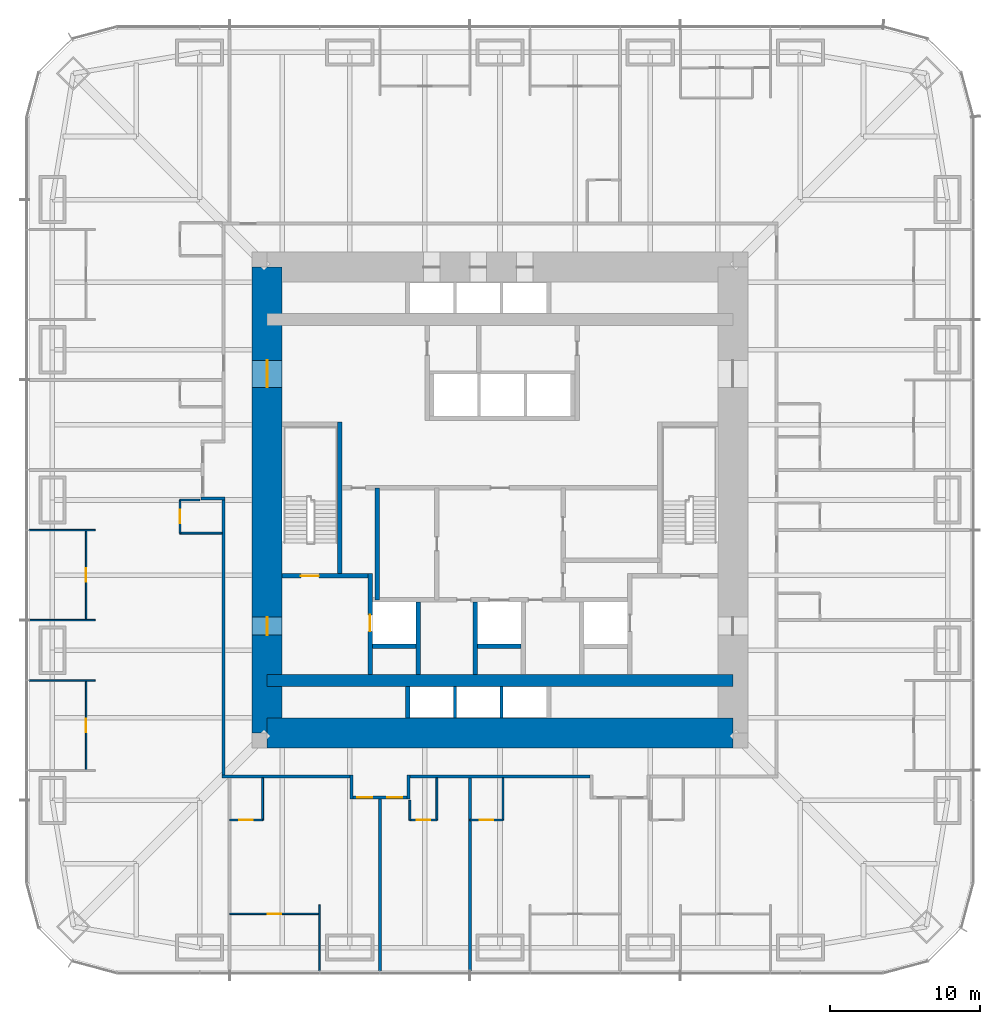
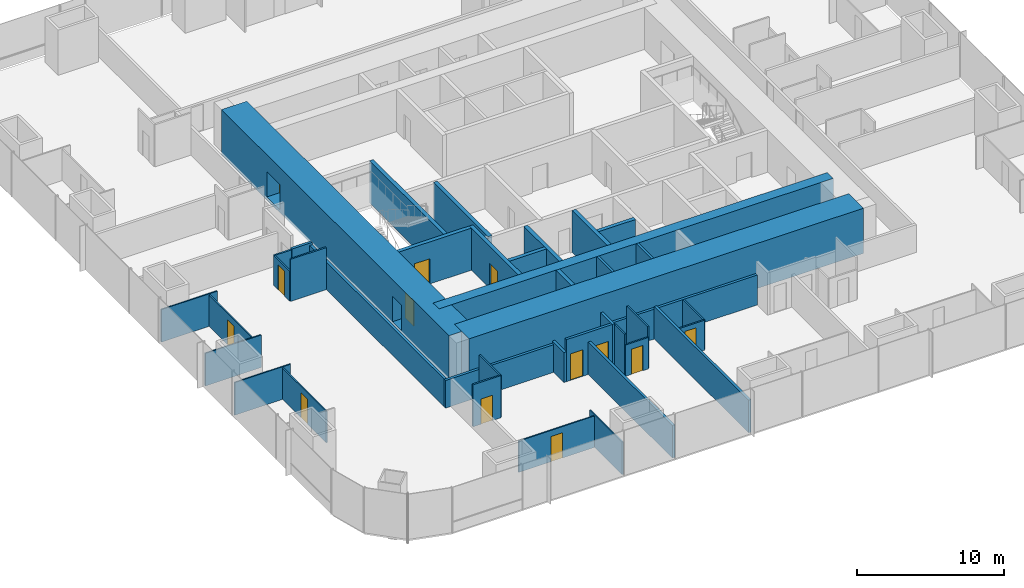
# One storey, part 12 of 16: 40 walls, 13 doors, 13 openings.
"""IFC4 building model written with IfcOpenShell, lengths in metres."""

from ifc_helpers import new_model, si_unit, direction, frame, frame_2d, origin, place, context, subcontext, project, spatial, rectangle, extrude, material, layer, layer_set, type_object, element, fill, save


model = new_model("IFC4")

# Units and contexts
model_context = context("Model", 3, precision=1e-05, world=origin(), true_north=direction((0.0, 1.0)))
body_context = subcontext(model_context, "Body", "Model", "MODEL_VIEW")
ifc_project = project(units=[si_unit("LENGTHUNIT", "METRE"), si_unit("AREAUNIT", "SQUARE_METRE"), si_unit("VOLUMEUNIT", "CUBIC_METRE"), si_unit("PLANEANGLEUNIT", "RADIAN"), si_unit("MASSUNIT", "GRAM", prefix="KILO")], contexts=[model_context])

# Site, building, storey
site_placement = place(None, origin())
site = spatial("IfcSite", under=ifc_project, at=site_placement, CompositionType="ELEMENT")
building_placement = place(site_placement, origin())
building = spatial("IfcBuilding", under=site, at=building_placement, Name="Khuree Lantern Residences", CompositionType="ELEMENT")
storey_placement = place(building_placement, frame((0.0, 0.0, 54.75)))
storey = spatial("IfcBuildingStorey", under=building, at=storey_placement, Name="L13", CompositionType="ELEMENT", Elevation=54.75)

# Wall, opening, door
ifc_material_1 = material(Name="Moisture-resistant gypsum board on steel studs", Category="steel")
ifc_layer_1 = layer(ifc_material_1, 0.125)
ifc_layer_set_1 = layer_set([ifc_layer_1], Name="BATHROOM WALL BTW125")
wall_type_1 = type_object("IfcWallType", Name="BATHROOM WALL BTW125", PredefinedType="PARTITIONING", material=ifc_layer_set_1)
wall_1_placement = place(storey_placement, frame((-21.300048828125, 0.0, 0.0), z_axis=(0.0, 0.0, 1.0), x_axis=(0.0, -1.0, 0.0)))
wall_1 = element("IfcWall", 1, at=wall_1_placement, inside=storey, type_object=wall_type_1, Name="L13 BATHROOM WALL 07", PredefinedType="PARTITIONING", context=body_context, shape_type="SweptSolid", body=[
    extrude(rectangle(XDim=2.199951171875, YDim=0.125, at=frame_2d((1.10009765625, 0.0))), origin(), (0.0, 0.0, 1.0), 2.491943359375),
])
opening_1_placement = place(wall_1_placement, frame((0.64990234375, 0.0, 0.0)))
opening_1 = element("IfcOpeningElement", 2, at=opening_1_placement, cuts=wall_1, Name="Opening 13-044", PredefinedType="OPENING", context=body_context, shape_type="SweptSolid", body=[
    extrude(rectangle(XDim=0.89990234375, YDim=2.10009765625, at=frame_2d((0.449951171875, 1.050048828125))), frame((0.0, 0.072509765625, 0.0), z_axis=(0.0, -1.0, 0.0), x_axis=(1.0, 0.0, 0.0)), (0.0, 0.0, 1.0), 0.14501953125),
])
ifc_material_2 = material(Name="Timber door leaf in hardwood frame", Category="wood")
door_type_1 = type_object("IfcDoorType", Name="BATHROOM DOOR 900X2100", OperationType="SINGLE_SWING_LEFT", PredefinedType="DOOR", material=ifc_material_2)
door_1_placement = place(opening_1_placement, origin())
door_1 = element("IfcDoor", 3, at=door_1_placement, inside=storey, type_object=door_type_1, Name="Bathroom door 13-044", OperationType="SINGLE_SWING_LEFT", OverallHeight=2.10009765625, OverallWidth=0.89990234375, PredefinedType="DOOR", context=body_context, shape_type="SweptSolid", body=[
    extrude(rectangle(XDim=0.89990234375, YDim=2.10009765625, at=frame_2d((0.449951171875, 1.050048828125))), frame((0.0, 0.02490234375, 0.0), z_axis=(0.0, -1.0, 0.0), x_axis=(1.0, 0.0, 0.0)), (0.0, 0.0, 1.0), 0.050048828125),
])
fill(opening_1, door_1)

# Walls
wall_2_placement = place(storey_placement, frame((-19.969970703125, 0.0, 0.0), z_axis=(0.0, 0.0, 1.0), x_axis=(-1.0, 0.0, 0.0)))
element("IfcWall", 4, at=wall_2_placement, inside=storey, type_object=wall_type_1, Name="L13 BATHROOM WALL 07", PredefinedType="PARTITIONING", context=body_context, shape_type="SweptSolid", body=[
    extrude(rectangle(XDim=1.330078125, YDim=0.125, at=frame_2d((0.6650390625, 0.0))), origin(), (0.0, 0.0, 1.0), 2.491943359375),
])
wall_3_placement = place(storey_placement, frame((-18.5, -2.199951171875, 0.0), z_axis=(0.0, 0.0, 1.0), x_axis=(-1.0, 0.0, 0.0)))
element("IfcWall", 5, at=wall_3_placement, inside=storey, type_object=wall_type_1, Name="L13 BATHROOM WALL 07", PredefinedType="PARTITIONING", context=body_context, shape_type="SweptSolid", body=[
    extrude(rectangle(XDim=2.800048828125, YDim=0.125, at=frame_2d((1.39990234375, 0.0))), origin(), (0.0, 0.0, 1.0), 3.5),
])

# Wall, opening, door
wall_4_placement = place(storey_placement, frame((-18.0, -21.300048828125, 0.0), z_axis=(0.0, 0.0, 1.0), x_axis=(1.0, 0.0, 0.0)))
wall_4 = element("IfcWall", 6, at=wall_4_placement, inside=storey, type_object=wall_type_1, Name="L13 BATHROOM WALL 08", PredefinedType="PARTITIONING", context=body_context, shape_type="SweptSolid", body=[
    extrude(rectangle(XDim=2.199951171875, YDim=0.125, at=frame_2d((1.10009765625, 0.0))), origin(), (0.0, 0.0, 1.0), 3.5),
])
opening_2_placement = place(wall_4_placement, frame((0.64990234375, 0.0, 0.0)))
opening_2 = element("IfcOpeningElement", 7, at=opening_2_placement, cuts=wall_4, Name="Opening 13-047", PredefinedType="OPENING", context=body_context, shape_type="SweptSolid", body=[
    extrude(rectangle(XDim=0.89990234375, YDim=2.10009765625, at=frame_2d((0.449951171875, 1.050048828125))), frame((0.0, 0.072509765625, 0.0), z_axis=(0.0, -1.0, 0.0), x_axis=(1.0, 0.0, 0.0)), (0.0, 0.0, 1.0), 0.14501953125),
])
door_2_placement = place(opening_2_placement, origin())
door_2 = element("IfcDoor", 8, at=door_2_placement, inside=storey, type_object=door_type_1, Name="Bathroom door 13-047", OperationType="SINGLE_SWING_LEFT", OverallHeight=2.10009765625, OverallWidth=0.89990234375, PredefinedType="DOOR", context=body_context, shape_type="SweptSolid", body=[
    extrude(rectangle(XDim=0.89990234375, YDim=2.10009765625, at=frame_2d((0.449951171875, 1.050048828125))), frame((0.0, 0.02490234375, 0.0), z_axis=(0.0, -1.0, 0.0), x_axis=(1.0, 0.0, 0.0)), (0.0, 0.0, 1.0), 0.050048828125),
])
fill(opening_2, door_2)

# Wall
wall_5_placement = place(storey_placement, frame((-15.800048828125, -18.5, 0.0), z_axis=(0.0, 0.0, 1.0), x_axis=(0.0, -1.0, 0.0)))
element("IfcWall", 9, at=wall_5_placement, inside=storey, type_object=wall_type_1, Name="L13 BATHROOM WALL 08", PredefinedType="PARTITIONING", context=body_context, shape_type="SweptSolid", body=[
    extrude(rectangle(XDim=2.800048828125, YDim=0.125, at=frame_2d((1.39990234375, 0.0))), origin(), (0.0, 0.0, 1.0), 3.5),
])

# Wall, opening, door
wall_6_placement = place(storey_placement, frame((-6.0, -21.300048828125, 0.0), z_axis=(0.0, 0.0, 1.0), x_axis=(1.0, 0.0, 0.0)))
wall_6 = element("IfcWall", 10, at=wall_6_placement, inside=storey, type_object=wall_type_1, Name="L13 BATHROOM WALL 09", PredefinedType="PARTITIONING", context=body_context, shape_type="SweptSolid", body=[
    extrude(rectangle(XDim=1.800048828125, YDim=0.125, at=frame_2d((0.89990234375, 0.0))), origin(), (0.0, 0.0, 1.0), 2.610107421875),
])
opening_3_placement = place(wall_6_placement, frame((0.449951171875, 0.0, 0.0)))
opening_3 = element("IfcOpeningElement", 11, at=opening_3_placement, cuts=wall_6, Name="Opening 13-049", PredefinedType="OPENING", context=body_context, shape_type="SweptSolid", body=[
    extrude(rectangle(XDim=0.89990234375, YDim=2.10009765625, at=frame_2d((0.449951171875, 1.050048828125))), frame((0.0, 0.072509765625, 0.0), z_axis=(0.0, -1.0, 0.0), x_axis=(1.0, 0.0, 0.0)), (0.0, 0.0, 1.0), 0.14501953125),
])
door_3_placement = place(opening_3_placement, origin())
door_3 = element("IfcDoor", 12, at=door_3_placement, inside=storey, type_object=door_type_1, Name="Bathroom door 13-049", OperationType="SINGLE_SWING_LEFT", OverallHeight=2.10009765625, OverallWidth=0.89990234375, PredefinedType="DOOR", context=body_context, shape_type="SweptSolid", body=[
    extrude(rectangle(XDim=0.89990234375, YDim=2.10009765625, at=frame_2d((0.449951171875, 1.050048828125))), frame((0.0, 0.02490234375, 0.0), z_axis=(0.0, -1.0, 0.0), x_axis=(1.0, 0.0, 0.0)), (0.0, 0.0, 1.0), 0.050048828125),
])
fill(opening_3, door_3)

# Walls
wall_7_placement = place(storey_placement, frame((-6.0, -19.969970703125, 0.0), z_axis=(0.0, 0.0, 1.0), x_axis=(0.0, -1.0, 0.0)))
element("IfcWall", 13, at=wall_7_placement, inside=storey, type_object=wall_type_1, Name="L13 BATHROOM WALL 09", PredefinedType="PARTITIONING", context=body_context, shape_type="SweptSolid", body=[
    extrude(rectangle(XDim=1.330078125, YDim=0.125, at=frame_2d((0.6650390625, 0.0))), origin(), (0.0, 0.0, 1.0), 3.5),
])
wall_8_placement = place(storey_placement, frame((-4.199951171875, -18.5, 0.0), z_axis=(0.0, 0.0, 1.0), x_axis=(0.0, -1.0, 0.0)))
element("IfcWall", 14, at=wall_8_placement, inside=storey, type_object=wall_type_1, Name="L13 BATHROOM WALL 09", PredefinedType="PARTITIONING", context=body_context, shape_type="SweptSolid", body=[
    extrude(rectangle(XDim=2.800048828125, YDim=0.125, at=frame_2d((1.39990234375, 0.0))), origin(), (0.0, 0.0, 1.0), 3.5),
])

# Wall, opening, door
wall_9_placement = place(storey_placement, frame((-2.0, -21.300048828125, 0.0), z_axis=(0.0, 0.0, 1.0), x_axis=(1.0, 0.0, 0.0)))
wall_9 = element("IfcWall", 15, at=wall_9_placement, inside=storey, type_object=wall_type_1, Name="L13 BATHROOM WALL 10", PredefinedType="PARTITIONING", context=body_context, shape_type="SweptSolid", body=[
    extrude(rectangle(XDim=2.199951171875, YDim=0.125, at=frame_2d((1.10009765625, 0.0))), origin(), (0.0, 0.0, 1.0), 2.491943359375),
])
opening_4_placement = place(wall_9_placement, frame((0.64990234375, 0.0, 0.0)))
opening_4 = element("IfcOpeningElement", 16, at=opening_4_placement, cuts=wall_9, Name="Opening 13-052", PredefinedType="OPENING", context=body_context, shape_type="SweptSolid", body=[
    extrude(rectangle(XDim=0.89990234375, YDim=2.10009765625, at=frame_2d((0.449951171875, 1.050048828125))), frame((0.0, 0.072509765625, 0.0), z_axis=(0.0, -1.0, 0.0), x_axis=(1.0, 0.0, 0.0)), (0.0, 0.0, 1.0), 0.14501953125),
])
door_4_placement = place(opening_4_placement, origin())
door_4 = element("IfcDoor", 17, at=door_4_placement, inside=storey, type_object=door_type_1, Name="Bathroom door 13-052", OperationType="SINGLE_SWING_LEFT", OverallHeight=2.10009765625, OverallWidth=0.89990234375, PredefinedType="DOOR", context=body_context, shape_type="SweptSolid", body=[
    extrude(rectangle(XDim=0.89990234375, YDim=2.10009765625, at=frame_2d((0.449951171875, 1.050048828125))), frame((0.0, 0.02490234375, 0.0), z_axis=(0.0, -1.0, 0.0), x_axis=(1.0, 0.0, 0.0)), (0.0, 0.0, 1.0), 0.050048828125),
])
fill(opening_4, door_4)

# Wall
wall_10_placement = place(storey_placement, frame((0.199951171875, -18.5, 0.0), z_axis=(0.0, 0.0, 1.0), x_axis=(0.0, -1.0, 0.0)))
element("IfcWall", 18, at=wall_10_placement, inside=storey, type_object=wall_type_1, Name="L13 BATHROOM WALL 10", PredefinedType="PARTITIONING", context=body_context, shape_type="SweptSolid", body=[
    extrude(rectangle(XDim=2.800048828125, YDim=0.125, at=frame_2d((1.39990234375, 0.0))), origin(), (0.0, 0.0, 1.0), 2.491943359375),
])

# Wall, opening, door
ifc_material_3 = material(Name="Dense concrete blockwork", Category="masonry")
ifc_layer_2 = layer(ifc_material_3, 0.300048828125)
ifc_layer_set_2 = layer_set([ifc_layer_2], Name="CORE PARTITION WALL CPW300 EI 120")
wall_type_2 = type_object("IfcWallType", Name="CORE PARTITION WALL CPW300 EI 120", PredefinedType="PARTITIONING", material=ifc_layer_set_2)
wall_11_placement = place(storey_placement, frame((-8.64990234375, -11.60009765625, 0.0), z_axis=(0.0, 0.0, 1.0), x_axis=(0.0, 1.0, 0.0)))
wall_11 = element("IfcWall", 19, at=wall_11_placement, inside=storey, type_object=wall_type_2, Name="L13 CORE WALL FL1W", PredefinedType="PARTITIONING", context=body_context, shape_type="SweptSolid", body=[
    extrude(rectangle(XDim=6.7001953125, YDim=0.300048828125, at=frame_2d((3.35009765625, 0.0))), origin(), (0.0, 0.0, 1.0), 3.5),
])
opening_5_placement = place(wall_11_placement, frame((2.85009765625, 0.0, 0.0)))
opening_5 = element("IfcOpeningElement", 20, at=opening_5_placement, cuts=wall_11, Name="Opening 13-007", PredefinedType="OPENING", context=body_context, shape_type="SweptSolid", body=[
    extrude(rectangle(XDim=1.10009765625, YDim=2.10009765625, at=frame_2d((0.550048828125, 1.050048828125))), frame((0.0, 0.16015625, 0.0), z_axis=(0.0, -1.0, 0.0), x_axis=(1.0, 0.0, 0.0)), (0.0, 0.0, 1.0), 0.320068359375),
])
ifc_material_4 = material(Name="Stainless steel lift landing door", Category="steel")
door_type_2 = type_object("IfcDoorType", Name="LIFT LANDING DOOR 1100X2100 E 120", OperationType="DOUBLE_DOOR_SLIDING", PredefinedType="DOOR", material=ifc_material_4)
door_5_placement = place(opening_5_placement, origin())
door_5 = element("IfcDoor", 21, at=door_5_placement, inside=storey, type_object=door_type_2, Name="Landing door FL1 13-007", OperationType="DOUBLE_DOOR_SLIDING", OverallHeight=2.10009765625, OverallWidth=1.10009765625, PredefinedType="DOOR", context=body_context, shape_type="SweptSolid", body=[
    extrude(rectangle(XDim=1.10009765625, YDim=2.10009765625, at=frame_2d((0.550048828125, 1.050048828125))), frame((0.0, 0.02490234375, 0.0), z_axis=(0.0, -1.0, 0.0), x_axis=(1.0, 0.0, 0.0)), (0.0, 0.0, 1.0), 0.050048828125),
])
fill(opening_5, door_5)

# Walls
for number, where, z_axis, x_axis, name in (
    (22, (-5.449951171875, -11.60009765625, 0.0), (0.0, 0.0, 1.0), (0.0, 1.0, 0.0), "L13 CORE WALL FL1E"),
    (23, (-1.64990234375, -11.60009765625, 0.0), (0.0, 0.0, 1.0), (0.0, 1.0, 0.0), "L13 CORE WALL SL1W"),
):
    element("IfcWall", number, at=place(storey_placement, frame(where, z_axis=z_axis, x_axis=x_axis)), inside=storey, type_object=wall_type_2, Name=name, PredefinedType="PARTITIONING", context=body_context, shape_type="SweptSolid", body=[
        extrude(rectangle(XDim=4.800048828125, YDim=0.300048828125, at=frame_2d((2.39990234375, 0.0))), origin(), (0.0, 0.0, 1.0), 3.5),
    ])
for number, where, z_axis, x_axis, name in (
    (24, (-8.5, -9.75, 0.0), (0.0, 0.0, 1.0), (1.0, 0.0, 0.0), "L13 CORE WALL FL1S"),
    (25, (-1.5, -9.75, 0.0), (0.0, 0.0, 1.0), (1.0, 0.0, 0.0), "L13 CORE WALL SL1S"),
):
    element("IfcWall", number, at=place(storey_placement, frame(where, z_axis=z_axis, x_axis=x_axis)), inside=storey, type_object=wall_type_2, Name=name, PredefinedType="PARTITIONING", context=body_context, shape_type="SweptSolid", body=[
        extrude(rectangle(XDim=2.89990234375, YDim=0.300048828125, at=frame_2d((1.449951171875, 0.0))), origin(), (0.0, 0.0, 1.0), 3.5),
    ])
wall_12_placement = place(storey_placement, frame((-6.14990234375, -14.5, 0.0), z_axis=(0.0, 0.0, 1.0), x_axis=(0.0, 1.0, 0.0)))
element("IfcWall", 26, at=wall_12_placement, inside=storey, type_object=wall_type_2, Name="L13 CORE WALL PMW", PredefinedType="PARTITIONING", context=body_context, shape_type="SweptSolid", body=[
    extrude(rectangle(XDim=2.10009765625, YDim=0.300048828125, at=frame_2d((1.050048828125, 0.0))), origin(), (0.0, 0.0, 1.0), 3.5),
])
wall_13_placement = place(storey_placement, frame((-8.1630859375, -6.64990234375, 0.0), z_axis=(0.0, 0.0, 1.0), x_axis=(0.0, 1.0, 0.0)))
element("IfcWall", 27, at=wall_13_placement, inside=storey, type_object=wall_type_2, Name="L13 CORE WALL WV", PredefinedType="PARTITIONING", context=body_context, shape_type="SweptSolid", body=[
    extrude(rectangle(XDim=7.449951171875, YDim=0.300048828125, at=frame_2d((3.72509765625, 0.0))), origin(), (0.0, 0.0, 1.0), 3.5),
])
ifc_material_5 = material(Name="Gypsum board on steel studs", Category="steel")
ifc_layer_3 = layer(ifc_material_5, 0.199951171875)
ifc_layer_set_3 = layer_set([ifc_layer_3], Name="CORRIDOR WALL CRW200 EI 60")
wall_type_3 = type_object("IfcWallType", Name="CORRIDOR WALL CRW200 EI 60", PredefinedType="PARTITIONING", material=ifc_layer_set_3)
wall_14_placement = place(storey_placement, frame((-18.300048828125, 0.10009765625, 0.0), z_axis=(0.0, 0.0, 1.0), x_axis=(-1.0, 0.0, 0.0)))
element("IfcWall", 28, at=wall_14_placement, inside=storey, type_object=wall_type_3, Name="L13 CORRIDOR ALCOVE WALL WEST", PredefinedType="PARTITIONING", context=body_context, shape_type="SweptSolid", body=[
    extrude(rectangle(XDim=1.599853515625, YDim=0.199951171875, at=frame_2d((0.7998046875, 0.0))), origin(), (0.0, 0.0, 1.0), 2.491943359375),
])
wall_15_placement = place(storey_placement, frame((-18.39990234375, 0.0, 0.0), z_axis=(0.0, 0.0, 1.0), x_axis=(0.0, -1.0, 0.0)))
element("IfcWall", 29, at=wall_15_placement, inside=storey, type_object=wall_type_3, Name="L13 CORRIDOR WALL WEST 2", PredefinedType="PARTITIONING", context=body_context, shape_type="SweptSolid", body=[
    extrude(rectangle(XDim=18.300048828125, YDim=0.199951171875, at=frame_2d((9.14990234375, 0.0))), origin(), (0.0, 0.0, 1.0), 2.300048828125),
])
wall_16_placement = place(storey_placement, frame((6.0, -18.39990234375, 0.0), z_axis=(0.0, 0.0, 1.0), x_axis=(-1.0, 0.0, 0.0)))
element("IfcWall", 30, at=wall_16_placement, inside=storey, type_object=wall_type_3, Name="L13 CORRIDOR WALL SOUTH 2", PredefinedType="PARTITIONING", context=body_context, shape_type="SweptSolid", body=[
    extrude(rectangle(XDim=12.0, YDim=0.199951171875, at=frame_2d((6.0, 0.0))), origin(), (0.0, 0.0, 1.0), 2.491943359375),
])
wall_17_placement = place(storey_placement, frame((-6.10009765625, -18.300048828125, 0.0), z_axis=(0.0, 0.0, 1.0), x_axis=(0.0, -1.0, 0.0)))
element("IfcWall", 31, at=wall_17_placement, inside=storey, type_object=wall_type_3, Name="L13 CORRIDOR ALCOVE WALL SOUTH", PredefinedType="PARTITIONING", context=body_context, shape_type="SweptSolid", body=[
    extrude(rectangle(XDim=1.599853515625, YDim=0.199951171875, at=frame_2d((0.7998046875, 0.0))), origin(), (0.0, 0.0, 1.0), 3.5),
])
wall_18_placement = place(storey_placement, frame((-9.89990234375, -18.300048828125, 0.0), z_axis=(0.0, 0.0, 1.0), x_axis=(0.0, -1.0, 0.0)))
element("IfcWall", 32, at=wall_18_placement, inside=storey, type_object=wall_type_3, Name="L13 CORRIDOR ALCOVE WALL SOUTH", PredefinedType="PARTITIONING", context=body_context, shape_type="SweptSolid", body=[
    extrude(rectangle(XDim=1.599853515625, YDim=0.199951171875, at=frame_2d((0.7998046875, 0.0))), origin(), (0.0, 0.0, 1.0), 2.491943359375),
])

# Wall, openings, doors
wall_19_placement = place(storey_placement, frame((-6.199951171875, -19.800048828125, 0.0), z_axis=(0.0, 0.0, 1.0), x_axis=(-1.0, 0.0, 0.0)))
wall_19 = element("IfcWall", 33, at=wall_19_placement, inside=storey, type_object=wall_type_3, Name="L13 CORRIDOR ALCOVE WALL SOUTH", PredefinedType="PARTITIONING", context=body_context, shape_type="SweptSolid", body=[
    extrude(rectangle(XDim=3.60009765625, YDim=0.199951171875, at=frame_2d((1.800048828125, 0.0))), origin(), (0.0, 0.0, 1.0), 3.5),
])
opening_6_placement = place(wall_19_placement, frame((2.300048828125, 0.0, 0.0)))
opening_6 = element("IfcOpeningElement", 34, at=opening_6_placement, cuts=wall_19, Name="Opening 13-048", PredefinedType="OPENING", context=body_context, shape_type="SweptSolid", body=[
    extrude(rectangle(XDim=1.0, YDim=2.199951171875, at=frame_2d((0.5, 1.10009765625))), frame((0.0, 0.10986328125, 0.0), z_axis=(0.0, -1.0, 0.0), x_axis=(1.0, 0.0, 0.0)), (0.0, 0.0, 1.0), 0.219970703125),
])
opening_7_placement = place(wall_19_placement, frame((0.300048828125, 0.0, 0.0)))
opening_7 = element("IfcOpeningElement", 35, at=opening_7_placement, cuts=wall_19, Name="Opening 13-050", PredefinedType="OPENING", context=body_context, shape_type="SweptSolid", body=[
    extrude(rectangle(XDim=1.0, YDim=2.199951171875, at=frame_2d((0.5, 1.10009765625))), frame((0.0, 0.10986328125, 0.0), z_axis=(0.0, -1.0, 0.0), x_axis=(1.0, 0.0, 0.0)), (0.0, 0.0, 1.0), 0.219970703125),
])
door_type_3 = type_object("IfcDoorType", Name="APARTMENT ENTRANCE DOOR 1000X2200 EI 30S", OperationType="SINGLE_SWING_LEFT", PredefinedType="DOOR", material=ifc_material_2)
door_6_placement = place(opening_6_placement, origin())
door_6 = element("IfcDoor", 36, at=door_6_placement, inside=storey, type_object=door_type_3, Name="Apartment 08 entrance door 13-048", OperationType="SINGLE_SWING_LEFT", OverallHeight=2.199951171875, OverallWidth=1.0, PredefinedType="DOOR", context=body_context, shape_type="SweptSolid", body=[
    extrude(rectangle(XDim=1.0, YDim=2.199951171875, at=frame_2d((0.5, 1.10009765625))), frame((0.0, 0.02490234375, 0.0), z_axis=(0.0, -1.0, 0.0), x_axis=(1.0, 0.0, 0.0)), (0.0, 0.0, 1.0), 0.050048828125),
])
fill(opening_6, door_6)
door_7_placement = place(opening_7_placement, origin())
door_7 = element("IfcDoor", 37, at=door_7_placement, inside=storey, type_object=door_type_3, Name="Apartment 09 entrance door 13-050", OperationType="SINGLE_SWING_LEFT", OverallHeight=2.199951171875, OverallWidth=1.0, PredefinedType="DOOR", context=body_context, shape_type="SweptSolid", body=[
    extrude(rectangle(XDim=1.0, YDim=2.199951171875, at=frame_2d((0.5, 1.10009765625))), frame((0.0, 0.02490234375, 0.0), z_axis=(0.0, -1.0, 0.0), x_axis=(1.0, 0.0, 0.0)), (0.0, 0.0, 1.0), 0.050048828125),
])
fill(opening_7, door_7)

# Walls
wall_20_placement = place(storey_placement, frame((-10.0, -18.39990234375, 0.0), z_axis=(0.0, 0.0, 1.0), x_axis=(-1.0, 0.0, 0.0)))
element("IfcWall", 38, at=wall_20_placement, inside=storey, type_object=wall_type_3, Name="L13 CORRIDOR WALL SOUTH 3", PredefinedType="PARTITIONING", context=body_context, shape_type="SweptSolid", body=[
    extrude(rectangle(XDim=8.5, YDim=0.199951171875, at=frame_2d((4.25, 0.0))), origin(), (0.0, 0.0, 1.0), 2.300048828125),
])
ifc_material_6 = material(Name="Concrete C70/85", Category="concrete")
ifc_layer_4 = layer(ifc_material_6, 2.0)
ifc_layer_set_4 = layer_set([ifc_layer_4], Name="CW2000-C70 CORE WALL C70 2000")
wall_type_4 = type_object("IfcWallType", Name="CW2000-C70 CORE WALL C70 2000", PredefinedType="SHEAR", material=ifc_layer_set_4)
wall_21_placement = place(storey_placement, frame((-15.5, -15.5, -0.25), z_axis=(0.0, 0.0, 1.0), x_axis=(1.0, 0.0, 0.0)))
element("IfcWall", 39, at=wall_21_placement, inside=storey, type_object=wall_type_4, Name="Core wall S", PredefinedType="SHEAR", context=body_context, shape_type="SweptSolid", body=[
    extrude(rectangle(XDim=31.0, YDim=2.0, at=frame_2d((15.5, 0.0))), origin(), (0.0, 0.0, 1.0), 3.75),
])

# Wall, openings, doors
wall_22_placement = place(storey_placement, frame((-15.5, -15.5, -0.25), z_axis=(0.0, 0.0, 1.0), x_axis=(0.0, 1.0, 0.0)))
wall_22 = element("IfcWall", 40, at=wall_22_placement, inside=storey, type_object=wall_type_4, Name="Core wall W", PredefinedType="SHEAR", context=body_context, shape_type="SweptSolid", body=[
    extrude(rectangle(XDim=31.0, YDim=2.0, at=frame_2d((15.5, 0.0))), origin(), (0.0, 0.0, 1.0), 3.75),
])
opening_8_placement = place(wall_22_placement, frame((6.5, 0.0, 0.25)))
opening_8 = element("IfcOpeningElement", 41, at=opening_8_placement, cuts=wall_22, Name="Opening 13-002", PredefinedType="OPENING", context=body_context, shape_type="SweptSolid", body=[
    extrude(rectangle(XDim=1.199951171875, YDim=2.10009765625, at=frame_2d((0.60009765625, 1.050048828125))), frame((0.0, 1.010009765625, 0.0), z_axis=(0.0, -1.0, 0.0), x_axis=(1.0, 0.0, 0.0)), (0.0, 0.0, 1.0), 2.02001953125),
])
opening_9_placement = place(wall_22_placement, frame((23.0, 0.0, 0.25)))
opening_9 = element("IfcOpeningElement", 42, at=opening_9_placement, cuts=wall_22, Name="Opening 13-003", PredefinedType="OPENING", context=body_context, shape_type="SweptSolid", body=[
    extrude(rectangle(XDim=1.800048828125, YDim=2.10009765625, at=frame_2d((0.89990234375, 1.050048828125))), frame((0.0, 1.010009765625, 0.0), z_axis=(0.0, -1.0, 0.0), x_axis=(1.0, 0.0, 0.0)), (0.0, 0.0, 1.0), 2.02001953125),
])
ifc_material_7 = material(Name="Steel door leaf in steel frame", Category="steel")
door_type_4 = type_object("IfcDoorType", Name="LOBBY DOOR 1200X2100 EI 120", OperationType="SINGLE_SWING_LEFT", PredefinedType="DOOR", material=ifc_material_7)
door_8_placement = place(opening_8_placement, origin())
door_8 = element("IfcDoor", 43, at=door_8_placement, inside=storey, type_object=door_type_4, Name="Firefighting lobby door 13-002", OperationType="SINGLE_SWING_LEFT", OverallHeight=2.10009765625, OverallWidth=1.199951171875, PredefinedType="DOOR", context=body_context, shape_type="SweptSolid", body=[
    extrude(rectangle(XDim=1.199951171875, YDim=2.10009765625, at=frame_2d((0.60009765625, 1.050048828125))), frame((0.0, 0.02490234375, 0.0), z_axis=(0.0, -1.0, 0.0), x_axis=(1.0, 0.0, 0.0)), (0.0, 0.0, 1.0), 0.050048828125),
])
fill(opening_8, door_8)
door_type_5 = type_object("IfcDoorType", Name="LOBBY DOUBLE DOOR 1800X2100 EI 60", OperationType="DOUBLE_DOOR_SINGLE_SWING", PredefinedType="DOOR", material=ifc_material_7)
door_9_placement = place(opening_9_placement, origin())
door_9 = element("IfcDoor", 44, at=door_9_placement, inside=storey, type_object=door_type_5, Name="Lift lobby door 13-003", OperationType="DOUBLE_DOOR_SINGLE_SWING", OverallHeight=2.10009765625, OverallWidth=1.800048828125, PredefinedType="DOOR", context=body_context, shape_type="SweptSolid", body=[
    extrude(rectangle(XDim=1.800048828125, YDim=2.10009765625, at=frame_2d((0.89990234375, 1.050048828125))), frame((0.0, 0.02490234375, 0.0), z_axis=(0.0, -1.0, 0.0), x_axis=(1.0, 0.0, 0.0)), (0.0, 0.0, 1.0), 0.050048828125),
])
fill(opening_9, door_9)

# Walls
ifc_layer_5 = layer(ifc_material_5, 0.199951171875)
ifc_layer_set_5 = layer_set([ifc_layer_5], Name="DEMISING WALL DMW200 EI 90")
wall_type_5 = type_object("IfcWallType", Name="DEMISING WALL DMW200 EI 90", PredefinedType="PARTITIONING", material=ifc_layer_set_5)
wall_23_placement = place(storey_placement, frame((-8.0, -19.89990234375, 0.0), z_axis=(0.0, 0.0, 1.0), x_axis=(0.0, -1.0, 0.0)))
element("IfcWall", 45, at=wall_23_placement, inside=storey, type_object=wall_type_5, Name="L13 DEMISING WALL 09", PredefinedType="PARTITIONING", context=body_context, shape_type="SweptSolid", body=[
    extrude(rectangle(XDim=11.4501953125, YDim=0.199951171875, at=frame_2d((5.72509765625, 0.0))), origin(), (0.0, 0.0, 1.0), 2.7099609375),
])
wall_24_placement = place(storey_placement, frame((-2.0, -18.5, 0.0), z_axis=(0.0, 0.0, 1.0), x_axis=(0.0, -1.0, 0.0)))
element("IfcWall", 46, at=wall_24_placement, inside=storey, type_object=wall_type_5, Name="L13 DEMISING WALL 10", PredefinedType="PARTITIONING", context=body_context, shape_type="SweptSolid", body=[
    extrude(rectangle(XDim=12.85009765625, YDim=0.199951171875, at=frame_2d((6.425048828125, 0.0))), origin(), (0.0, 0.0, 1.0), 2.7099609375),
])
ifc_layer_6 = layer(ifc_material_5, 0.10009765625)
ifc_layer_set_6 = layer_set([ifc_layer_6], Name="PARTITION PT100")
wall_type_6 = type_object("IfcWallType", Name="PARTITION PT100", PredefinedType="PARTITIONING", material=ifc_layer_set_6)
for number, where, z_axis, x_axis, name in (
    (47, (-26.949951171875, -2.0, 0.0), (0.0, 0.0, 1.0), (-1.0, 0.0, 0.0), "L13 PARTITION 07"),
    (48, (-26.949951171875, -8.0, 0.0), (0.0, 0.0, 1.0), (-1.0, 0.0, 0.0), "L13 PARTITION 07"),
    (49, (-26.949951171875, -12.0, 0.0), (0.0, 0.0, 1.0), (-1.0, 0.0, 0.0), "L13 PARTITION 07"),
    (50, (-12.0, -26.949951171875, 0.0), (0.0, 0.0, 1.0), (0.0, -1.0, 0.0), "L13 PARTITION 08"),
):
    element("IfcWall", number, at=place(storey_placement, frame(where, z_axis=z_axis, x_axis=x_axis)), inside=storey, type_object=wall_type_6, Name=name, PredefinedType="PARTITIONING", context=body_context, shape_type="SweptSolid", body=[
        extrude(rectangle(XDim=4.400146484375, YDim=0.10009765625, at=frame_2d((2.2001953125, 0.0))), origin(), (0.0, 0.0, 1.0), 2.7099609375),
    ])

# Wall, opening, door
wall_25_placement = place(storey_placement, frame((-27.550048828125, -2.0, 0.0), z_axis=(0.0, 0.0, 1.0), x_axis=(0.0, -1.0, 0.0)))
wall_25 = element("IfcWall", 51, at=wall_25_placement, inside=storey, type_object=wall_type_6, Name="L13 PARTITION 07", PredefinedType="PARTITIONING", context=body_context, shape_type="SweptSolid", body=[
    extrude(rectangle(XDim=6.0, YDim=0.10009765625, at=frame_2d((3.0, 0.0))), origin(), (0.0, 0.0, 1.0), 2.610107421875),
])
opening_10_placement = place(wall_25_placement, frame((2.550048828125, 0.0, 0.0)))
opening_10 = element("IfcOpeningElement", 52, at=opening_10_placement, cuts=wall_25, Name="Opening 13-042", PredefinedType="OPENING", context=body_context, shape_type="SweptSolid", body=[
    extrude(rectangle(XDim=0.89990234375, YDim=2.10009765625, at=frame_2d((0.449951171875, 1.050048828125))), frame((0.0, 0.06005859375, 0.0), z_axis=(0.0, -1.0, 0.0), x_axis=(1.0, 0.0, 0.0)), (0.0, 0.0, 1.0), 0.1201171875),
])
door_type_6 = type_object("IfcDoorType", Name="BEDROOM DOOR 900X2100", OperationType="SINGLE_SWING_LEFT", PredefinedType="DOOR", material=ifc_material_2)
door_10_placement = place(opening_10_placement, origin())
door_10 = element("IfcDoor", 53, at=door_10_placement, inside=storey, type_object=door_type_6, Name="Bedroom door 13-042", OperationType="SINGLE_SWING_LEFT", OverallHeight=2.10009765625, OverallWidth=0.89990234375, PredefinedType="DOOR", context=body_context, shape_type="SweptSolid", body=[
    extrude(rectangle(XDim=0.89990234375, YDim=2.10009765625, at=frame_2d((0.449951171875, 1.050048828125))), frame((0.0, 0.02490234375, 0.0), z_axis=(0.0, -1.0, 0.0), x_axis=(1.0, 0.0, 0.0)), (0.0, 0.0, 1.0), 0.050048828125),
])
fill(opening_10, door_10)

wall_26_placement = place(storey_placement, frame((-27.550048828125, -12.0, 0.0), z_axis=(0.0, 0.0, 1.0), x_axis=(0.0, -1.0, 0.0)))
wall_26 = element("IfcWall", 54, at=wall_26_placement, inside=storey, type_object=wall_type_6, Name="L13 PARTITION 07", PredefinedType="PARTITIONING", context=body_context, shape_type="SweptSolid", body=[
    extrude(rectangle(XDim=6.0, YDim=0.10009765625, at=frame_2d((3.0, 0.0))), origin(), (0.0, 0.0, 1.0), 2.610107421875),
])
opening_11_placement = place(wall_26_placement, frame((2.550048828125, 0.0, 0.0)))
opening_11 = element("IfcOpeningElement", 55, at=opening_11_placement, cuts=wall_26, Name="Opening 13-043", PredefinedType="OPENING", context=body_context, shape_type="SweptSolid", body=[
    extrude(rectangle(XDim=0.89990234375, YDim=2.10009765625, at=frame_2d((0.449951171875, 1.050048828125))), frame((0.0, 0.06005859375, 0.0), z_axis=(0.0, -1.0, 0.0), x_axis=(1.0, 0.0, 0.0)), (0.0, 0.0, 1.0), 0.1201171875),
])
door_11_placement = place(opening_11_placement, origin())
door_11 = element("IfcDoor", 56, at=door_11_placement, inside=storey, type_object=door_type_6, Name="Bedroom door 13-043", OperationType="SINGLE_SWING_LEFT", OverallHeight=2.10009765625, OverallWidth=0.89990234375, PredefinedType="DOOR", context=body_context, shape_type="SweptSolid", body=[
    extrude(rectangle(XDim=0.89990234375, YDim=2.10009765625, at=frame_2d((0.449951171875, 1.050048828125))), frame((0.0, 0.02490234375, 0.0), z_axis=(0.0, -1.0, 0.0), x_axis=(1.0, 0.0, 0.0)), (0.0, 0.0, 1.0), 0.050048828125),
])
fill(opening_11, door_11)

wall_27_placement = place(storey_placement, frame((-18.0, -27.550048828125, 0.0), z_axis=(0.0, 0.0, 1.0), x_axis=(1.0, 0.0, 0.0)))
wall_27 = element("IfcWall", 57, at=wall_27_placement, inside=storey, type_object=wall_type_6, Name="L13 PARTITION 08", PredefinedType="PARTITIONING", context=body_context, shape_type="SweptSolid", body=[
    extrude(rectangle(XDim=6.0, YDim=0.10009765625, at=frame_2d((3.0, 0.0))), origin(), (0.0, 0.0, 1.0), 2.610107421875),
])
opening_12_placement = place(wall_27_placement, frame((2.550048828125, 0.0, 0.0)))
opening_12 = element("IfcOpeningElement", 58, at=opening_12_placement, cuts=wall_27, Name="Opening 13-046", PredefinedType="OPENING", context=body_context, shape_type="SweptSolid", body=[
    extrude(rectangle(XDim=0.89990234375, YDim=2.10009765625, at=frame_2d((0.449951171875, 1.050048828125))), frame((0.0, 0.06005859375, 0.0), z_axis=(0.0, -1.0, 0.0), x_axis=(1.0, 0.0, 0.0)), (0.0, 0.0, 1.0), 0.1201171875),
])
door_12_placement = place(opening_12_placement, origin())
door_12 = element("IfcDoor", 59, at=door_12_placement, inside=storey, type_object=door_type_6, Name="Bedroom door 13-046", OperationType="SINGLE_SWING_LEFT", OverallHeight=2.10009765625, OverallWidth=0.89990234375, PredefinedType="DOOR", context=body_context, shape_type="SweptSolid", body=[
    extrude(rectangle(XDim=0.89990234375, YDim=2.10009765625, at=frame_2d((0.449951171875, 1.050048828125))), frame((0.0, 0.02490234375, 0.0), z_axis=(0.0, -1.0, 0.0), x_axis=(1.0, 0.0, 0.0)), (0.0, 0.0, 1.0), 0.050048828125),
])
fill(opening_12, door_12)

# Walls
ifc_layer_7 = layer(ifc_material_3, 0.199951171875)
ifc_layer_set_7 = layer_set([ifc_layer_7], Name="SHAFT WALL SHW200 EI 120")
wall_type_7 = type_object("IfcWallType", Name="SHAFT WALL SHW200 EI 120", PredefinedType="PARTITIONING", material=ifc_layer_set_7)
for number, where, z_axis, x_axis, name in (
    (60, (-3.0, -14.5, 0.0), (0.0, 0.0, 1.0), (0.0, 1.0, 0.0), "L13 CORE WALL PMD1"),
    (61, (0.10009765625, -14.5, 0.0), (0.0, 0.0, 1.0), (0.0, 1.0, 0.0), "L13 CORE WALL PMD2"),
):
    element("IfcWall", number, at=place(storey_placement, frame(where, z_axis=z_axis, x_axis=x_axis)), inside=storey, type_object=wall_type_7, Name=name, PredefinedType="PARTITIONING", context=body_context, shape_type="SweptSolid", body=[
        extrude(rectangle(XDim=2.10009765625, YDim=0.199951171875, at=frame_2d((1.050048828125, 0.0))), origin(), (0.0, 0.0, 1.0), 3.5),
    ])
ifc_layer_8 = layer(ifc_material_6, 0.800048828125)
ifc_layer_set_8 = layer_set([ifc_layer_8], Name="SP800-C70 CORE SPINE WALL C70 800")
wall_type_8 = type_object("IfcWallType", Name="SP800-C70 CORE SPINE WALL C70 800", PredefinedType="SHEAR", material=ifc_layer_set_8)
wall_28_placement = place(storey_placement, frame((-15.5, -12.0, -0.25), z_axis=(0.0, 0.0, 1.0), x_axis=(1.0, 0.0, 0.0)))
element("IfcWall", 62, at=wall_28_placement, inside=storey, type_object=wall_type_8, Name="Core wall SPS", PredefinedType="SHEAR", context=body_context, shape_type="SweptSolid", body=[
    extrude(rectangle(XDim=31.0, YDim=0.800048828125, at=frame_2d((15.5, 0.0))), origin(), (0.0, 0.0, 1.0), 3.75),
])
ifc_material_8 = material(Name="Concrete C50/60", Category="concrete")
ifc_layer_9 = layer(ifc_material_8, 0.300048828125)
ifc_layer_set_9 = layer_set([ifc_layer_9], Name="STAIR WALL SRW300 C50/60 REI 240")
wall_type_9 = type_object("IfcWallType", Name="STAIR WALL SRW300 C50/60 REI 240", PredefinedType="SOLIDWALL", material=ifc_layer_set_9)
wall_29_placement = place(storey_placement, frame((-10.64990234375, -4.89990234375, 0.0), z_axis=(0.0, 0.0, 1.0), x_axis=(0.0, 1.0, 0.0)))
element("IfcWall", 63, at=wall_29_placement, inside=storey, type_object=wall_type_9, Name="L13 STAIR WALL ST1E", PredefinedType="SOLIDWALL", context=body_context, shape_type="SweptSolid", body=[
    extrude(rectangle(XDim=10.099853515625, YDim=0.300048828125, at=frame_2d((5.0498046875, 0.0))), origin(), (0.0, 0.0, 1.0), 3.5),
])

# Wall, opening, door
wall_30_placement = place(storey_placement, frame((-14.5, -5.050048828125, 0.0), z_axis=(0.0, 0.0, 1.0), x_axis=(1.0, 0.0, 0.0)))
wall_30 = element("IfcWall", 64, at=wall_30_placement, inside=storey, type_object=wall_type_9, Name="L13 STAIR WALL ST1S", PredefinedType="SOLIDWALL", context=body_context, shape_type="SweptSolid", body=[
    extrude(rectangle(XDim=5.699951171875, YDim=0.300048828125, at=frame_2d((2.85009765625, 0.0))), origin(), (0.0, 0.0, 1.0), 3.5),
])
opening_13_placement = place(wall_30_placement, frame((1.25, 0.0, 0.0)))
opening_13 = element("IfcOpeningElement", 65, at=opening_13_placement, cuts=wall_30, Name="Opening 13-001", PredefinedType="OPENING", context=body_context, shape_type="SweptSolid", body=[
    extrude(rectangle(XDim=1.199951171875, YDim=2.10009765625, at=frame_2d((0.60009765625, 1.050048828125))), frame((0.0, 0.16015625, 0.0), z_axis=(0.0, -1.0, 0.0), x_axis=(1.0, 0.0, 0.0)), (0.0, 0.0, 1.0), 0.320068359375),
])
door_type_7 = type_object("IfcDoorType", Name="STAIR DOOR 1200X2100 EI 120", OperationType="SINGLE_SWING_LEFT", PredefinedType="DOOR", material=ifc_material_7)
door_13_placement = place(opening_13_placement, origin())
door_13 = element("IfcDoor", 66, at=door_13_placement, inside=storey, type_object=door_type_7, Name="Stair ST1 door 13-001", OperationType="SINGLE_SWING_LEFT", OverallHeight=2.10009765625, OverallWidth=1.199951171875, PredefinedType="DOOR", context=body_context, shape_type="SweptSolid", body=[
    extrude(rectangle(XDim=1.199951171875, YDim=2.10009765625, at=frame_2d((0.60009765625, 1.050048828125))), frame((0.0, 0.02490234375, 0.0), z_axis=(0.0, -1.0, 0.0), x_axis=(1.0, 0.0, 0.0)), (0.0, 0.0, 1.0), 0.050048828125),
])
fill(opening_13, door_13)

save(model, "model.ifc")
